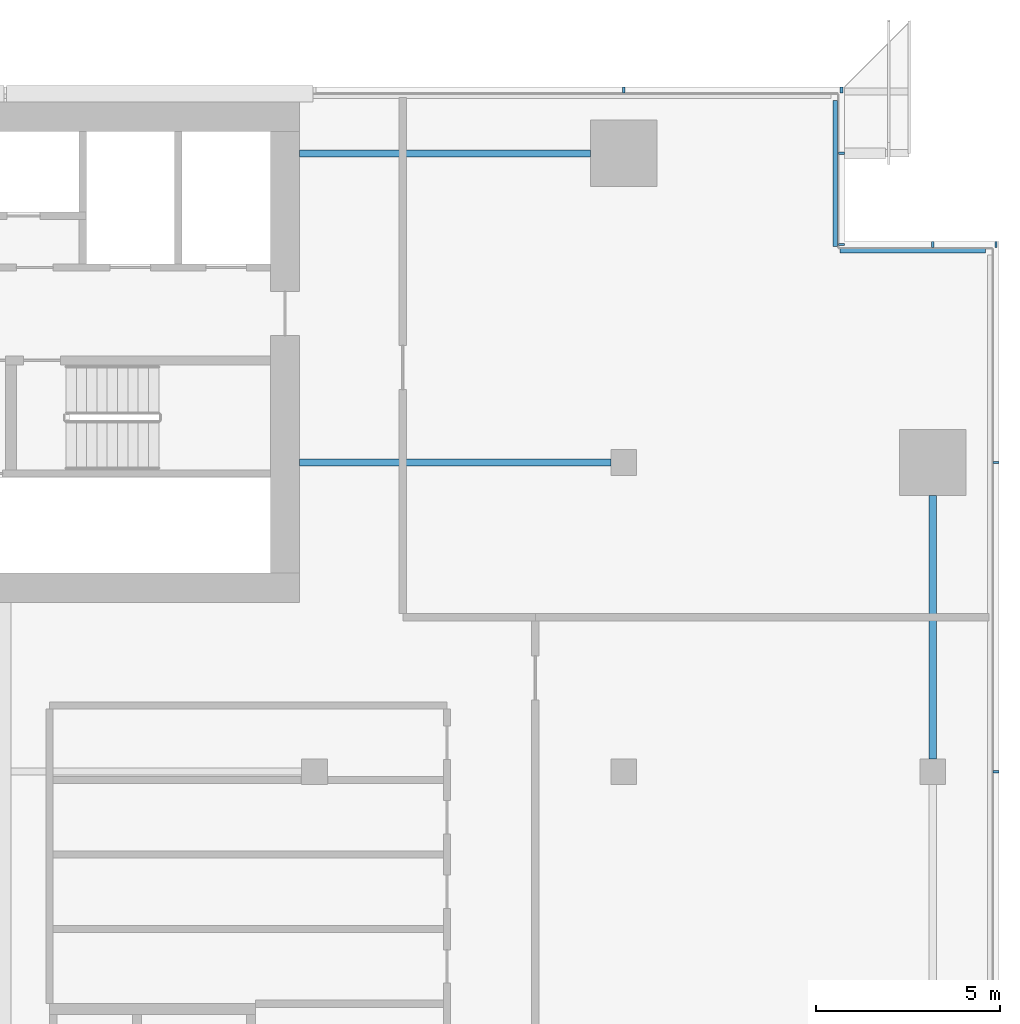
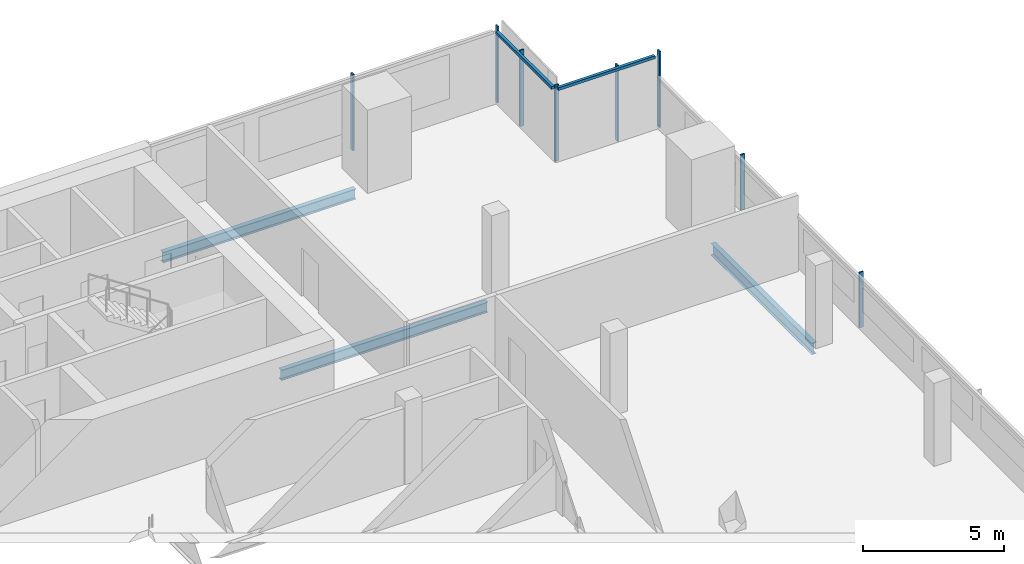
# One storey, part 14 of 24: 10 members, 3 beams, 4 elements without a shape of their own.
"""IFC4 building model written with IfcOpenShell, lengths in metres."""

from ifc_helpers import new_model, si_unit, direction, frame, origin, origin_2d, place, context, subcontext, project, spatial, rectangle, i_section, extrude, material, material_profile, profile_set, type_object, element, aggregate, save


model = new_model("IFC4")

# Units and contexts
model_context = context("Model", 3, precision=1e-05, world=origin(), true_north=direction((0.0, 1.0)))
body_context = subcontext(model_context, "Body", "Model", "MODEL_VIEW")
ifc_project = project(units=[si_unit("LENGTHUNIT", "METRE"), si_unit("AREAUNIT", "SQUARE_METRE"), si_unit("VOLUMEUNIT", "CUBIC_METRE"), si_unit("PLANEANGLEUNIT", "RADIAN"), si_unit("MASSUNIT", "GRAM", prefix="KILO")], contexts=[model_context])

# Site, building, storey
site_placement = place(None, origin())
site = spatial("IfcSite", under=ifc_project, at=site_placement, CompositionType="ELEMENT")
building_placement = place(site_placement, origin())
building = spatial("IfcBuilding", under=site, at=building_placement, Name="Saffron Gate Tower", CompositionType="ELEMENT")
storey_placement = place(building_placement, frame((0.0, 0.0, 190.64990234375)))
storey = spatial("IfcBuildingStorey", under=building, at=storey_placement, Name="L47", CompositionType="ELEMENT", Elevation=190.64990234375)

# Beams
ifc_material_1 = material(Name="Structural steel S355", Category="steel")
ifc_material_profile_1 = material_profile(ifc_material_1, i_section(OverallWidth=0.199951171875, OverallDepth=0.5, WebThickness=0.01025390625, FlangeThickness=0.01611328125, FilletRadius=0.02099609375, at=origin_2d()))
ifc_profile_set_1 = profile_set([ifc_material_profile_1], Name="Structural steel S355")
beam_type_1 = type_object("IfcBeamType", Name="B11 IPE 500", PredefinedType="SPANDREL", material=ifc_profile_set_1)
beam_1_placement = place(storey_placement, frame((125.39990234375, 57.35009765625, -0.52978515625), z_axis=(0.0, 1.0, 0.0), x_axis=(-1.0, 0.0, 0.0)))
element("IfcBeam", 1, at=beam_1_placement, inside=storey, type_object=beam_type_1, Name="B11 SPANDREL BEAM", PredefinedType="SPANDREL", context=body_context, shape_type="SweptSolid", body=[
    extrude(i_section(OverallWidth=0.199951171875, OverallDepth=0.5, WebThickness=0.01025390625, FlangeThickness=0.01611328125, FilletRadius=0.02099609375, at=origin_2d()), origin(), (0.0, 0.0, 1.0), 7.14990234375),
])
ifc_material_profile_2 = material_profile(ifc_material_1, i_section(OverallWidth=0.18994140625, OverallDepth=0.449951171875, WebThickness=0.009521484375, FlangeThickness=0.0146484375, FilletRadius=0.02099609375, at=origin_2d()))
ifc_profile_set_2 = profile_set([ifc_material_profile_2], Name="Structural steel S355")
beam_type_2 = type_object("IfcBeamType", Name="B6 IPE 450", PredefinedType="BEAM", material=ifc_profile_set_2)
beam_2_placement = place(storey_placement, frame((116.64990234375, 65.39990234375, -0.5048828125), z_axis=(-1.0, 0.0, 0.0), x_axis=(0.0, -1.0, 0.0)))
element("IfcBeam", 2, at=beam_2_placement, inside=storey, type_object=beam_type_2, Name="B6 CORE TIE BEAM", PredefinedType="BEAM", context=body_context, shape_type="SweptSolid", body=[
    extrude(i_section(OverallWidth=0.18994140625, OverallDepth=0.449951171875, WebThickness=0.009521484375, FlangeThickness=0.0146484375, FilletRadius=0.02099609375, at=origin_2d()), origin(), (0.0, 0.0, 1.0), 8.449951171875),
])
beam_3_placement = place(storey_placement, frame((116.10009765625, 73.800048828125, -0.5048828125), z_axis=(-1.0, 0.0, 0.0), x_axis=(0.0, -1.0, 0.0)))
element("IfcBeam", 3, at=beam_3_placement, inside=storey, type_object=beam_type_2, Name="B6 CORE TIE BEAM", PredefinedType="BEAM", context=body_context, shape_type="SweptSolid", body=[
    extrude(i_section(OverallWidth=0.18994140625, OverallDepth=0.449951171875, WebThickness=0.009521484375, FlangeThickness=0.0146484375, FilletRadius=0.02099609375, at=origin_2d()), origin(), (0.0, 0.0, 1.0), 7.900146484375),
])

# Curtain wall, members
ifc_material_2 = material(Name="Aluminium, bronze anodised", Category="aluminium")
curtain_wall_type_1 = type_object("IfcCurtainWallType", Name="CWS2 curtain wall side facades", PredefinedType="NOTDEFINED", material=ifc_material_2)
curtain_wall_1_placement = place(storey_placement, origin())
curtain_wall_1 = element("IfcCurtainWall", 4, at=curtain_wall_1_placement, inside=storey, type_object=curtain_wall_type_1, Name="CWS2 run 4", PredefinedType="NOTDEFINED")
ifc_material_profile_3 = material_profile(ifc_material_2, rectangle(XDim=0.159912109375, YDim=0.06005859375, at=origin_2d()))
ifc_profile_set_3 = profile_set([ifc_material_profile_3], Name="Aluminium, bronze anodised")
member_type_1 = type_object("IfcMemberType", Name="CWS2 mullion 60x160", PredefinedType="MULLION", material=ifc_profile_set_3)
member_1_placement = place(storey_placement, frame((127.1201171875, 57.0, 0.0), z_axis=(0.0, 0.0, 1.0), x_axis=(-1.0, 0.0, 0.0)))
member_1 = element("IfcMember", 5, at=member_1_placement, type_object=member_type_1, Name="CWS2 mullion 4", PredefinedType="MULLION", context=body_context, shape_type="SweptSolid", body=[
    extrude(rectangle(XDim=0.159912109375, YDim=0.06005859375, at=origin_2d()), origin(), (0.0, 0.0, 1.0), 2.41015625),
])
member_2_placement = place(storey_placement, frame((127.1201171875, 65.39990234375, 0.0), z_axis=(0.0, 0.0, 1.0), x_axis=(-1.0, 0.0, 0.0)))
member_2 = element("IfcMember", 6, at=member_2_placement, type_object=member_type_1, Name="CWS2 mullion 5", PredefinedType="MULLION", context=body_context, shape_type="SweptSolid", body=[
    extrude(rectangle(XDim=0.159912109375, YDim=0.06005859375, at=origin_2d()), origin(), (0.0, 0.0, 1.0), 2.41015625),
])
aggregate(curtain_wall_1, [member_1, member_2])

curtain_wall_type_2 = type_object("IfcCurtainWallType", Name="CWS3 curtain wall rear facade", PredefinedType="NOTDEFINED", material=ifc_material_2)
curtain_wall_2_placement = place(storey_placement, origin())
curtain_wall_2 = element("IfcCurtainWall", 7, at=curtain_wall_2_placement, inside=storey, type_object=curtain_wall_type_2, Name="CWS3 run 7", PredefinedType="NOTDEFINED")
ifc_material_profile_4 = material_profile(ifc_material_2, rectangle(XDim=0.159912109375, YDim=0.070068359375, at=origin_2d()))
ifc_profile_set_4 = profile_set([ifc_material_profile_4], Name="Aluminium, bronze anodised")
member_type_2 = type_object("IfcMemberType", Name="CWS3 mullion 70x160", PredefinedType="MULLION", material=ifc_profile_set_4)
member_3_placement = place(storey_placement, frame((122.919921875, 75.52001953125, 0.0), z_axis=(0.0, 0.0, 1.0), x_axis=(0.0, -1.0, 0.0)))
member_3 = element("IfcMember", 8, at=member_3_placement, type_object=member_type_2, Name="CWS3 mullion 1", PredefinedType="MULLION", context=body_context, shape_type="SweptSolid", body=[
    extrude(rectangle(XDim=0.159912109375, YDim=0.070068359375, at=origin_2d()), origin(), (0.0, 0.0, 1.0), 3.300048828125),
])
member_4_placement = place(storey_placement, frame((117.0, 75.52001953125, 0.0), z_axis=(0.0, 0.0, 1.0), x_axis=(0.0, -1.0, 0.0)))
member_4 = element("IfcMember", 9, at=member_4_placement, type_object=member_type_2, Name="CWS3 mullion 2", PredefinedType="MULLION", context=body_context, shape_type="SweptSolid", body=[
    extrude(rectangle(XDim=0.159912109375, YDim=0.070068359375, at=origin_2d()), origin(), (0.0, 0.0, 1.0), 3.300048828125),
])
aggregate(curtain_wall_2, [member_3, member_4])

# Curtain wall, member
curtain_wall_type_3 = type_object("IfcCurtainWallType", Name="CWS4 curtain wall corner returns", PredefinedType="NOTDEFINED", material=ifc_material_2)
curtain_wall_3_placement = place(storey_placement, origin())
curtain_wall_3 = element("IfcCurtainWall", 10, at=curtain_wall_3_placement, inside=storey, type_object=curtain_wall_type_3, Name="CWS4 run 5", PredefinedType="NOTDEFINED")
ifc_material_profile_5 = material_profile(ifc_material_2, rectangle(XDim=0.1201171875, YDim=0.1201171875, at=origin_2d()))
ifc_profile_set_5 = profile_set([ifc_material_profile_5], Name="Aluminium, bronze anodised")
member_type_3 = type_object("IfcMemberType", Name="CWS4 head transom", PredefinedType="USERDEFINED", material=ifc_profile_set_5)
member_5_placement = place(storey_placement, frame((126.83203125, 71.152099609375, 3.239990234375), z_axis=(-1.0, 0.0, 0.0), x_axis=(0.0, -1.0, 0.0)))
member_5 = element("IfcMember", 11, at=member_5_placement, type_object=member_type_3, Name="CWS4 head transom", ObjectType="TRANSOM", PredefinedType="USERDEFINED", context=body_context, shape_type="SweptSolid", body=[
    extrude(rectangle(XDim=0.1201171875, YDim=0.1201171875, at=origin_2d()), origin(), (0.0, 0.0, 1.0), 3.9599609375),
])

curtain_wall_4_placement = place(storey_placement, origin())
curtain_wall_4 = element("IfcCurtainWall", 12, at=curtain_wall_4_placement, inside=storey, type_object=curtain_wall_type_3, Name="CWS4 run 6", PredefinedType="NOTDEFINED")
member_6_placement = place(storey_placement, frame((122.751953125, 71.27197265625, 3.239990234375), z_axis=(0.0, 1.0, 0.0), x_axis=(-1.0, 0.0, 0.0)))
member_6 = element("IfcMember", 13, at=member_6_placement, type_object=member_type_3, Name="CWS4 head transom", ObjectType="TRANSOM", PredefinedType="USERDEFINED", context=body_context, shape_type="SweptSolid", body=[
    extrude(rectangle(XDim=0.1201171875, YDim=0.1201171875, at=origin_2d()), origin(), (0.0, 0.0, 1.0), 3.9599609375),
])

# Member
ifc_material_profile_6 = material_profile(ifc_material_2, rectangle(XDim=0.159912109375, YDim=0.06005859375, at=origin_2d()))
ifc_profile_set_6 = profile_set([ifc_material_profile_6], Name="Aluminium, bronze anodised")
member_type_4 = type_object("IfcMemberType", Name="CWS4 mullion 60x160", PredefinedType="MULLION", material=ifc_profile_set_6)
member_7_placement = place(storey_placement, frame((127.1201171875, 71.320068359375, 0.0), z_axis=(0.0, 0.0, 1.0), x_axis=(0.0, -1.0, 0.0)))
member_7 = element("IfcMember", 14, at=member_7_placement, type_object=member_type_4, Name="CWS4 mullion 1", PredefinedType="MULLION", context=body_context, shape_type="SweptSolid", body=[
    extrude(rectangle(XDim=0.159912109375, YDim=0.06005859375, at=origin_2d()), origin(), (0.0, 0.0, 1.0), 3.300048828125),
])

member_8_placement = place(storey_placement, frame((125.39990234375, 71.320068359375, 0.0), z_axis=(0.0, 0.0, 1.0), x_axis=(0.0, -1.0, 0.0)))
member_8 = element("IfcMember", 15, at=member_8_placement, type_object=member_type_4, Name="CWS4 mullion 2", PredefinedType="MULLION", context=body_context, shape_type="SweptSolid", body=[
    extrude(rectangle(XDim=0.159912109375, YDim=0.06005859375, at=origin_2d()), origin(), (0.0, 0.0, 1.0), 3.300048828125),
])

aggregate(curtain_wall_3, [member_7, member_8, member_5])

member_9_placement = place(storey_placement, frame((122.919921875, 71.320068359375, 0.0), z_axis=(0.0, 0.0, 1.0), x_axis=(-1.0, 0.0, 0.0)))
member_9 = element("IfcMember", 16, at=member_9_placement, type_object=member_type_4, Name="CWS4 mullion 1", PredefinedType="MULLION", context=body_context, shape_type="SweptSolid", body=[
    extrude(rectangle(XDim=0.159912109375, YDim=0.06005859375, at=origin_2d()), origin(), (0.0, 0.0, 1.0), 3.300048828125),
])

member_10_placement = place(storey_placement, frame((122.919921875, 73.800048828125, 0.0), z_axis=(0.0, 0.0, 1.0), x_axis=(-1.0, 0.0, 0.0)))
member_10 = element("IfcMember", 17, at=member_10_placement, type_object=member_type_4, Name="CWS4 mullion 2", PredefinedType="MULLION", context=body_context, shape_type="SweptSolid", body=[
    extrude(rectangle(XDim=0.159912109375, YDim=0.06005859375, at=origin_2d()), origin(), (0.0, 0.0, 1.0), 3.300048828125),
])

aggregate(curtain_wall_4, [member_9, member_10, member_6])

save(model, "model.ifc")
